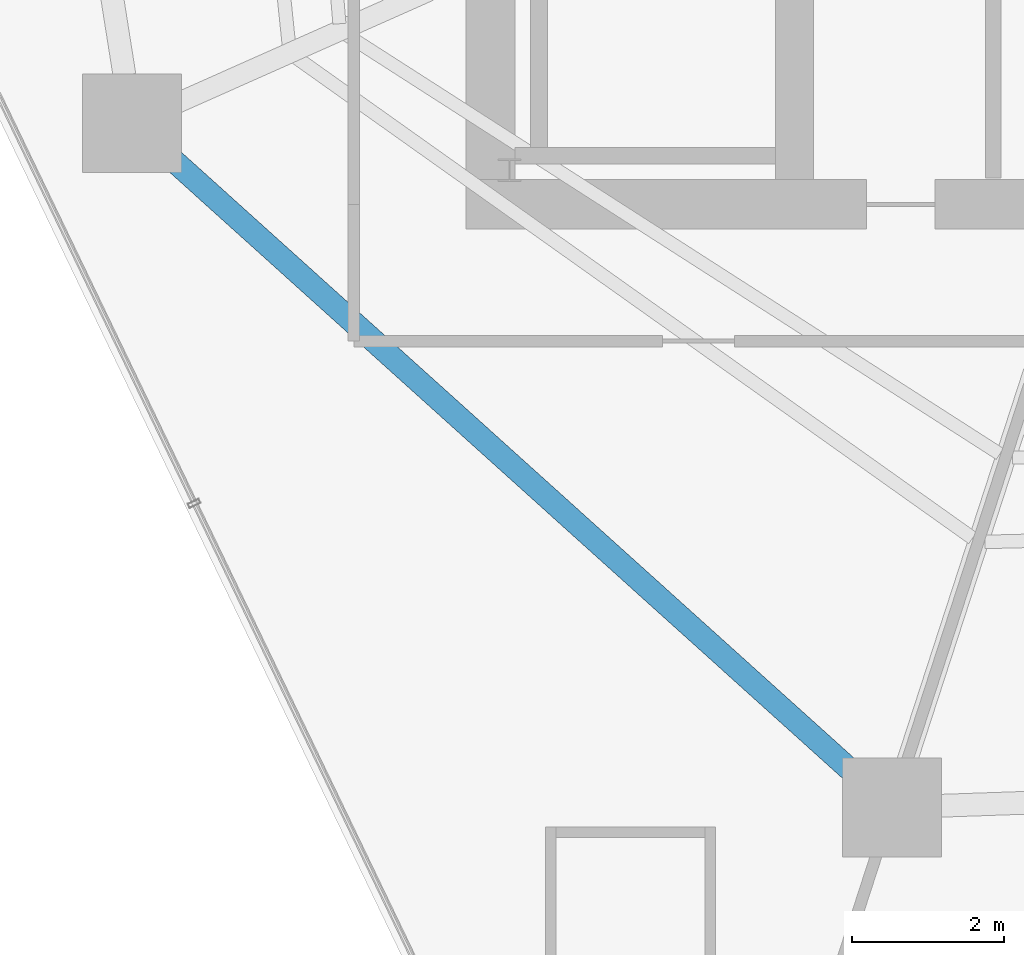
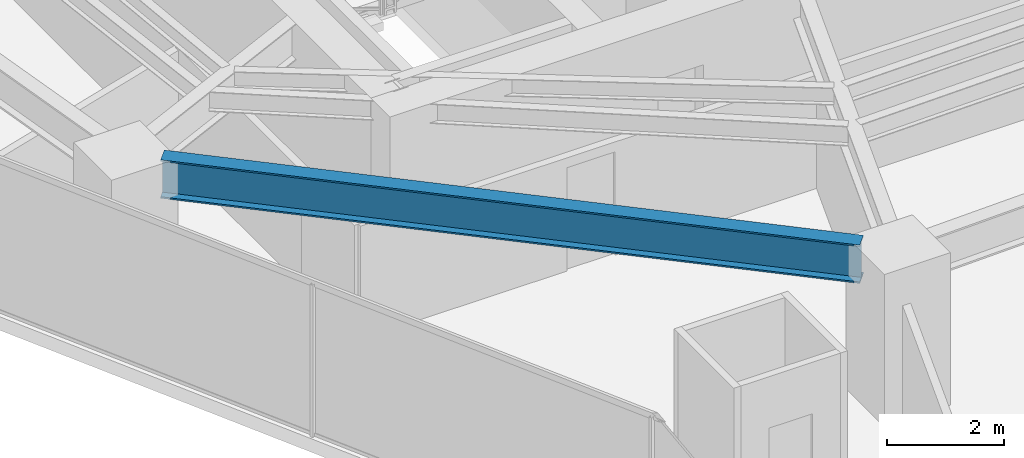
# One storey, part 4 of 30: 1 beam.
"""IFC4 building model written with IfcOpenShell, lengths in metres."""

from ifc_helpers import new_model, si_unit, direction, frame, origin, origin_2d, place, context, subcontext, project, spatial, i_section, extrude, material, material_profile, profile_set, type_object, element, save


model = new_model("IFC4")

# Units and contexts
model_context = context("Model", 3, precision=1e-05, world=origin(), true_north=direction((0.0, 1.0)))
body_context = subcontext(model_context, "Body", "Model", "MODEL_VIEW")
ifc_project = project(units=[si_unit("LENGTHUNIT", "METRE"), si_unit("AREAUNIT", "SQUARE_METRE"), si_unit("VOLUMEUNIT", "CUBIC_METRE"), si_unit("PLANEANGLEUNIT", "RADIAN"), si_unit("MASSUNIT", "GRAM", prefix="KILO")], contexts=[model_context])

# Site, building, storey
site_placement = place(None, origin())
site = spatial("IfcSite", under=ifc_project, at=site_placement, CompositionType="ELEMENT")
building_placement = place(site_placement, origin())
building = spatial("IfcBuilding", under=site, at=building_placement, Name="Qarnah Convention Tower", CompositionType="ELEMENT")
storey_placement = place(building_placement, frame((0.0, 0.0, 51.14990234375)))
storey = spatial("IfcBuildingStorey", under=building, at=storey_placement, Name="L12", CompositionType="ELEMENT", Elevation=51.14990234375)

# Beam
ifc_material = material(Name="Structural steel S355JR", Category="steel")
ifc_material_profile = material_profile(ifc_material, i_section(OverallWidth=0.300048828125, OverallDepth=0.800048828125, WebThickness=0.01806640625, FlangeThickness=0.032958984375, at=origin_2d()), Name="HEB800")
ifc_profile_set = profile_set([ifc_material_profile], Name="Structural steel S355JR")
beam_type = type_object("IfcBeamType", Name="BM-RING-HEB800", PredefinedType="BEAM", material=ifc_profile_set)
beam_placement = place(storey_placement, frame((22.556884765625, 19.240966796875, 2.77001953125), z_axis=(0.743082870291, -0.669199408159, 0.0), x_axis=(0.669199408159, 0.743082870291, 0.0)))
element("IfcBeam", 1, at=beam_placement, inside=storey, type_object=beam_type, Name="L12 beam BM-L12-SPN-06", PredefinedType="BEAM", context=body_context, shape_type="SweptSolid", body=[
    extrude(i_section(OverallWidth=0.300048828125, OverallDepth=0.800048828125, WebThickness=0.01806640625, FlangeThickness=0.032958984375, at=origin_2d()), origin(), (0.0, 0.0, 1.0), 12.183349609375),
])

save(model, "model.ifc")
